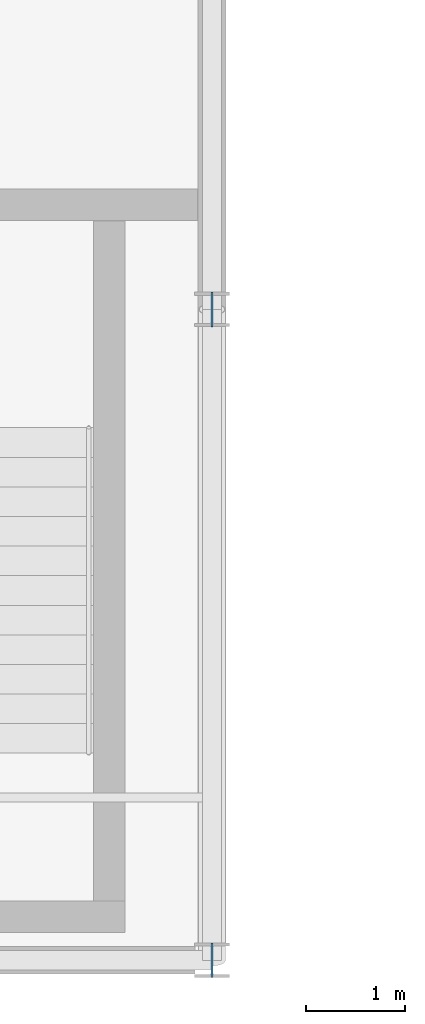
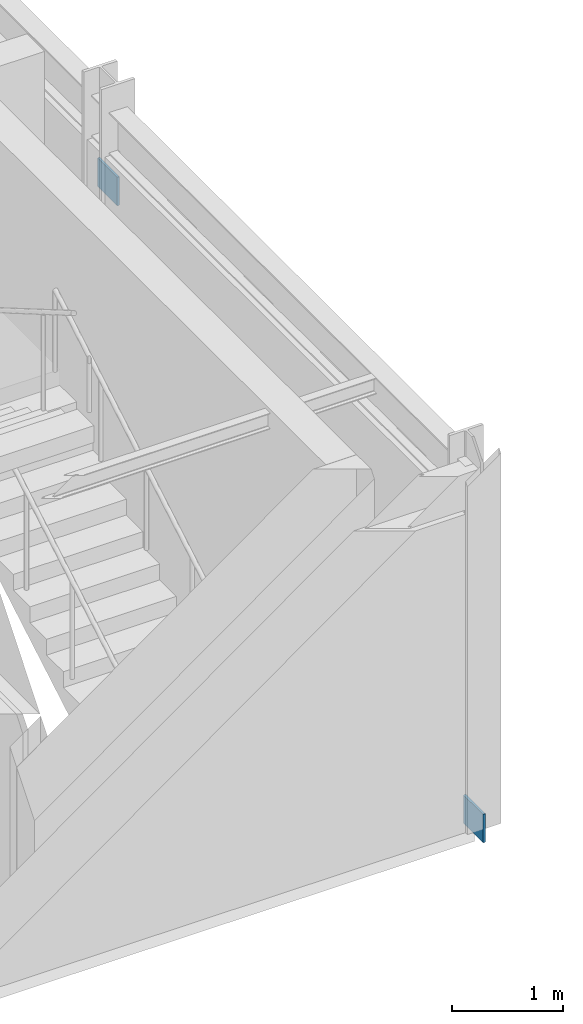
# One storey, part 108 of 148: 2 plates.
"""IFC4 building model written with IfcOpenShell, lengths in metres."""

from ifc_helpers import new_model, si_unit, direction, frame, origin, origin_2d, place, context, subcontext, project, spatial, rectangle, extrude, material, layer, layer_set, type_object, element, save


model = new_model("IFC4")

# Units and contexts
model_context = context("Model", 3, precision=1e-05, world=origin(), true_north=direction((0.0, 1.0)))
body_context = subcontext(model_context, "Body", "Model", "MODEL_VIEW")
ifc_project = project(units=[si_unit("LENGTHUNIT", "METRE"), si_unit("AREAUNIT", "SQUARE_METRE"), si_unit("VOLUMEUNIT", "CUBIC_METRE"), si_unit("PLANEANGLEUNIT", "RADIAN"), si_unit("MASSUNIT", "GRAM", prefix="KILO")], contexts=[model_context])

# Site, building, storey
site_placement = place(None, origin())
site = spatial("IfcSite", under=ifc_project, at=site_placement, CompositionType="ELEMENT")
building_placement = place(site_placement, origin())
building = spatial("IfcBuilding", under=site, at=building_placement, Name="Karori Crest Natural Sciences Institute", CompositionType="ELEMENT")
storey_placement = place(building_placement, frame((0.0, 0.0, 4.89990234375)))
storey = spatial("IfcBuildingStorey", under=building, at=storey_placement, Name="L01", CompositionType="ELEMENT", Elevation=4.89990234375)

# Plates
ifc_material = material(Name="Structural steel AS/NZS 3679.1 Grade 350", Category="steel")
ifc_layer = layer(ifc_material, 0.02490234375, Name="Structural steel AS/NZS 3679.1 Grade 350")
ifc_layer_set = layer_set([ifc_layer], Name="Structural steel AS/NZS 3679.1 Grade 350")
plate_type = type_object("IfcPlateType", Name="PLT-06-EL", PredefinedType="SHEET", material=ifc_layer_set)
for number, where, z_axis, x_axis, name in (
    (1, (27.199951171875, 0.800048828125, -0.146484375), (0.0, 0.0, 1.0), (0.0, 1.0, 0.0), "Brace gusset plate EP-0217"),
    (2, (27.199951171875, 7.39990234375, 2.86572265625), (0.0, 0.0, 1.0), (0.0, 1.0, 0.0), "Brace gusset plate EP-0218"),
):
    element("IfcPlate", number, at=place(storey_placement, frame(where, z_axis=z_axis, x_axis=x_axis)), inside=storey, type_object=plate_type, Name=name, PredefinedType="SHEET", context=body_context, shape_type="SweptSolid", body=[
        extrude(rectangle(XDim=0.35302734375, YDim=0.02490234375, at=origin_2d()), origin(), (0.0, 0.0, 1.0), 0.31298828125),
    ])

save(model, "model.ifc")
